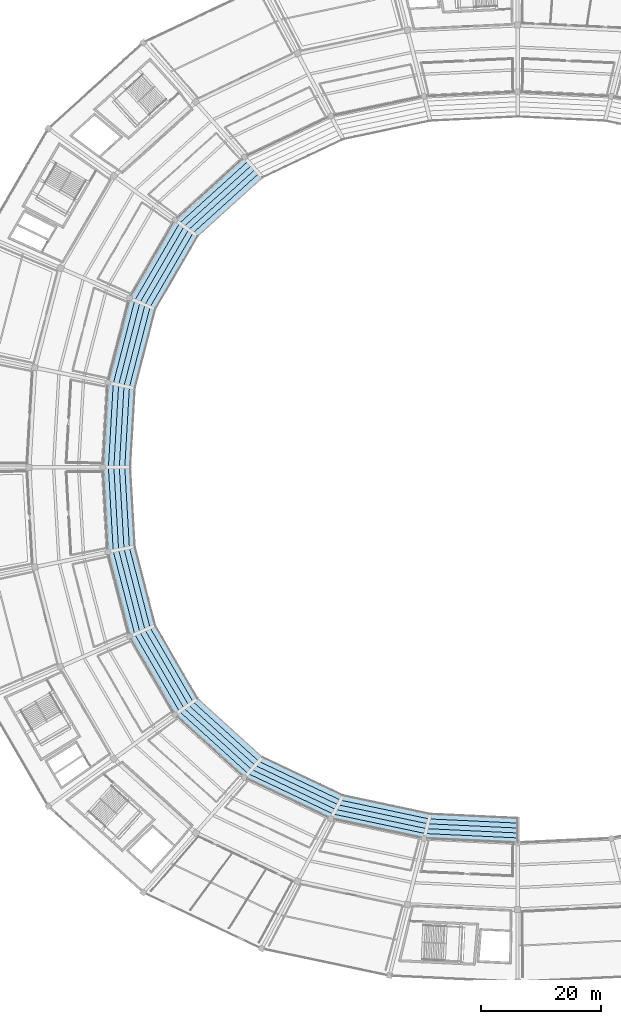
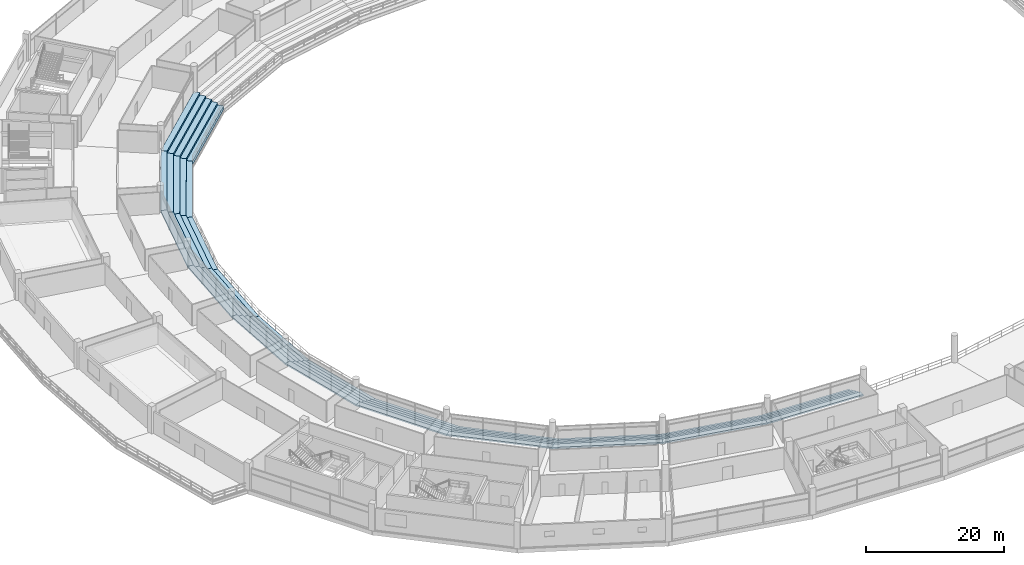
# One storey, part 139 of 171: 11 slabs.
"""IFC4 building model written with IfcOpenShell, lengths in metres."""

from ifc_helpers import new_model, si_unit, direction, frame, origin, place, context, subcontext, project, spatial, polygons, material, layer, layer_set, type_object, element, save


model = new_model("IFC4")

# Units and contexts
model_context = context("Model", 3, precision=1e-05, world=origin(), true_north=direction((0.0, 1.0)))
body_context = subcontext(model_context, "Body", "Model", "MODEL_VIEW")
ifc_project = project(units=[si_unit("LENGTHUNIT", "METRE"), si_unit("AREAUNIT", "SQUARE_METRE"), si_unit("VOLUMEUNIT", "CUBIC_METRE"), si_unit("PLANEANGLEUNIT", "RADIAN"), si_unit("MASSUNIT", "GRAM", prefix="KILO")], contexts=[model_context])

# Site, building, storey
site_placement = place(None, origin())
site = spatial("IfcSite", under=ifc_project, at=site_placement, CompositionType="ELEMENT")
building_placement = place(site_placement, origin())
building = spatial("IfcBuilding", under=site, at=building_placement, Name="Kazemori Nagisa Stadium", CompositionType="ELEMENT")
storey_placement = place(building_placement, frame((0.0, 0.0, 15.639892578125)))
storey = spatial("IfcBuildingStorey", under=building, at=storey_placement, Name="L03", CompositionType="ELEMENT", Elevation=15.639892578125)

# Slabs
ifc_material = material(Name="Concrete C36/45 (Fc36)", Category="concrete")
ifc_layer = layer(ifc_material, 2.159912109375, Name="Concrete C36/45 (Fc36)", Category="concrete")
ifc_layer_set = layer_set([ifc_layer], Name="Concrete C36/45 (Fc36)")
slab_type = type_object("IfcSlabType", Name="SeatingTier_ST-CLUB-05", PredefinedType="USERDEFINED", material=ifc_layer_set)
slab_1_placement = place(storey_placement, frame((0.0, 0.0, -15.639892578125)))
element("IfcSlab", 1, at=slab_1_placement, inside=storey, type_object=slab_type, Name="Stand club tier bay 11", ObjectType="SEATING TIER", PredefinedType="USERDEFINED", context=body_context, shape_type="Tessellation", body=[
    polygons([(69.466064453125, 140.647216796875, 13.480224609375), (69.466064453125, 140.647216796875, 14.1201171875), (68.712646484375, 141.191162109375, 14.1201171875), (68.712646484375, 141.191162109375, 14.5), (67.958984375, 141.7353515625, 14.5), (67.958984375, 141.7353515625, 14.8798828125), (67.20556640625, 142.279296875, 14.8798828125), (67.20556640625, 142.279296875, 15.259765625), (66.451904296875, 142.823486328125, 15.259765625), (66.451904296875, 142.823486328125, 15.6396484375), (65.698486328125, 143.367431640625, 15.6396484375), (65.698486328125, 143.367431640625, 15.379638671875), (66.451904296875, 142.823486328125, 14.999755859375), (67.20556640625, 142.279296875, 14.619873046875), (67.958984375, 141.7353515625, 14.239990234375), (68.712646484375, 141.191162109375, 13.860107421875), (80.30810546875, 150.462158203125, 13.480224609375), (80.30810546875, 150.462158203125, 14.1201171875), (79.707275390625, 151.144287109375, 14.1201171875), (79.707275390625, 151.144287109375, 14.5), (79.106201171875, 151.826416015625, 14.5), (79.106201171875, 151.826416015625, 14.8798828125), (78.50537109375, 152.5087890625, 14.8798828125), (78.50537109375, 152.5087890625, 15.259765625), (77.904296875, 153.19091796875, 15.259765625), (77.904296875, 153.19091796875, 15.6396484375), (77.303466796875, 153.873046875, 15.6396484375), (77.303466796875, 153.873046875, 15.379638671875), (77.904296875, 153.19091796875, 14.999755859375), (78.50537109375, 152.5087890625, 14.619873046875), (79.106201171875, 151.826416015625, 14.239990234375), (79.707275390625, 151.144287109375, 13.860107421875)], [[[1, 17, 18]], [[1, 18, 2]], [[2, 18, 19]], [[2, 19, 3]], [[3, 19, 20]], [[3, 20, 4]], [[4, 20, 21]], [[4, 21, 5]], [[5, 21, 22]], [[5, 22, 6]], [[6, 22, 23]], [[6, 23, 7]], [[7, 23, 24]], [[7, 24, 8]], [[8, 24, 25]], [[8, 25, 9]], [[9, 25, 26]], [[9, 26, 10]], [[10, 26, 27]], [[10, 27, 11]], [[11, 27, 28]], [[11, 28, 12]], [[12, 28, 13]], [[13, 28, 29]], [[13, 29, 14]], [[14, 29, 30]], [[14, 30, 15]], [[15, 30, 31]], [[15, 31, 16]], [[16, 31, 32]], [[16, 32, 1]], [[1, 32, 17]], [[1, 2, 3]], [[19, 18, 17]], [[1, 3, 16]], [[32, 19, 17]], [[16, 3, 15]], [[31, 19, 32]], [[15, 3, 5]], [[21, 19, 31]], [[3, 4, 5]], [[21, 20, 19]], [[15, 5, 14]], [[30, 21, 31]], [[14, 5, 7]], [[23, 21, 30]], [[5, 6, 7]], [[23, 22, 21]], [[14, 7, 13]], [[29, 23, 30]], [[13, 7, 9]], [[25, 23, 29]], [[7, 8, 9]], [[25, 24, 23]], [[13, 9, 12]], [[28, 25, 29]], [[12, 9, 11]], [[27, 25, 28]], [[9, 10, 11]], [[27, 26, 25]]], closed=True),
])
slab_2_placement = place(storey_placement, frame((0.0, 0.0, -15.639892578125)))
element("IfcSlab", 2, at=slab_2_placement, inside=storey, type_object=slab_type, Name="Stand club tier bay 12", ObjectType="SEATING TIER", PredefinedType="USERDEFINED", context=body_context, shape_type="Tessellation", body=[
    polygons([(62.38037109375, 128.42724609375, 13.480224609375), (62.38037109375, 128.42724609375, 14.1201171875), (61.527099609375, 128.79931640625, 14.1201171875), (61.527099609375, 128.79931640625, 14.5), (60.673828125, 129.171142578125, 14.5), (60.673828125, 129.171142578125, 14.8798828125), (59.820556640625, 129.543212890625, 14.8798828125), (59.820556640625, 129.543212890625, 15.259765625), (58.96728515625, 129.9150390625, 15.259765625), (58.96728515625, 129.9150390625, 15.6396484375), (58.114013671875, 130.287109375, 15.6396484375), (58.114013671875, 130.287109375, 15.379638671875), (58.96728515625, 129.9150390625, 14.999755859375), (59.820556640625, 129.543212890625, 14.619873046875), (60.673828125, 129.171142578125, 14.239990234375), (61.527099609375, 128.79931640625, 13.860107421875), (69.466064453125, 140.647216796875, 13.480224609375), (69.466064453125, 140.647216796875, 14.1201171875), (68.712646484375, 141.191162109375, 14.1201171875), (68.712646484375, 141.191162109375, 14.5), (67.958984375, 141.7353515625, 14.5), (67.958984375, 141.7353515625, 14.8798828125), (67.20556640625, 142.279296875, 14.8798828125), (67.20556640625, 142.279296875, 15.259765625), (66.451904296875, 142.823486328125, 15.259765625), (66.451904296875, 142.823486328125, 15.6396484375), (65.698486328125, 143.367431640625, 15.6396484375), (65.698486328125, 143.367431640625, 15.379638671875), (66.451904296875, 142.823486328125, 14.999755859375), (67.20556640625, 142.279296875, 14.619873046875), (67.958984375, 141.7353515625, 14.239990234375), (68.712646484375, 141.191162109375, 13.860107421875)], [[[1, 17, 18]], [[1, 18, 2]], [[2, 18, 19]], [[2, 19, 3]], [[3, 19, 20]], [[3, 20, 4]], [[4, 20, 21]], [[4, 21, 5]], [[5, 21, 22]], [[5, 22, 6]], [[6, 22, 23]], [[6, 23, 7]], [[7, 23, 24]], [[7, 24, 8]], [[8, 24, 25]], [[8, 25, 9]], [[9, 25, 26]], [[9, 26, 10]], [[10, 26, 27]], [[10, 27, 11]], [[11, 27, 28]], [[11, 28, 12]], [[12, 28, 13]], [[13, 28, 29]], [[13, 29, 14]], [[14, 29, 30]], [[14, 30, 15]], [[15, 30, 31]], [[15, 31, 16]], [[16, 31, 32]], [[16, 32, 1]], [[1, 32, 17]], [[1, 2, 3]], [[19, 18, 17]], [[1, 3, 16]], [[32, 19, 17]], [[16, 3, 15]], [[31, 19, 32]], [[15, 3, 5]], [[21, 19, 31]], [[3, 4, 5]], [[21, 20, 19]], [[15, 5, 14]], [[30, 21, 31]], [[14, 5, 7]], [[23, 21, 30]], [[5, 6, 7]], [[23, 22, 21]], [[14, 7, 13]], [[29, 23, 30]], [[13, 7, 9]], [[25, 23, 29]], [[7, 8, 9]], [[25, 24, 23]], [[13, 9, 12]], [[28, 25, 29]], [[12, 9, 11]], [[27, 25, 28]], [[9, 10, 11]], [[27, 26, 25]]], closed=True),
])
slab_3_placement = place(storey_placement, frame((0.0, 0.0, -15.639892578125)))
element("IfcSlab", 3, at=slab_3_placement, inside=storey, type_object=slab_type, Name="Stand club tier bay 13", ObjectType="SEATING TIER", PredefinedType="USERDEFINED", context=body_context, shape_type="Tessellation", body=[
    polygons([(58.973388671875, 115.229248046875, 13.480224609375), (58.973388671875, 115.229248046875, 14.1201171875), (58.072021484375, 115.41552734375, 14.1201171875), (58.072021484375, 115.41552734375, 14.5), (57.1708984375, 115.601806640625, 14.5), (57.1708984375, 115.601806640625, 14.8798828125), (56.26953125, 115.787841796875, 14.8798828125), (56.26953125, 115.787841796875, 15.259765625), (55.368408203125, 115.97412109375, 15.259765625), (55.368408203125, 115.97412109375, 15.6396484375), (54.467041015625, 116.160400390625, 15.6396484375), (54.467041015625, 116.160400390625, 15.379638671875), (55.368408203125, 115.97412109375, 14.999755859375), (56.26953125, 115.787841796875, 14.619873046875), (57.1708984375, 115.601806640625, 14.239990234375), (58.072021484375, 115.41552734375, 13.860107421875), (62.38037109375, 128.42724609375, 13.480224609375), (62.38037109375, 128.42724609375, 14.1201171875), (61.527099609375, 128.79931640625, 14.1201171875), (61.527099609375, 128.79931640625, 14.5), (60.673828125, 129.171142578125, 14.5), (60.673828125, 129.171142578125, 14.8798828125), (59.820556640625, 129.543212890625, 14.8798828125), (59.820556640625, 129.543212890625, 15.259765625), (58.96728515625, 129.9150390625, 15.259765625), (58.96728515625, 129.9150390625, 15.6396484375), (58.114013671875, 130.287109375, 15.6396484375), (58.114013671875, 130.287109375, 15.379638671875), (58.96728515625, 129.9150390625, 14.999755859375), (59.820556640625, 129.543212890625, 14.619873046875), (60.673828125, 129.171142578125, 14.239990234375), (61.527099609375, 128.79931640625, 13.860107421875)], [[[1, 17, 18]], [[1, 18, 2]], [[2, 18, 19]], [[2, 19, 3]], [[3, 19, 20]], [[3, 20, 4]], [[4, 20, 21]], [[4, 21, 5]], [[5, 21, 22]], [[5, 22, 6]], [[6, 22, 23]], [[6, 23, 7]], [[7, 23, 24]], [[7, 24, 8]], [[8, 24, 25]], [[8, 25, 9]], [[9, 25, 26]], [[9, 26, 10]], [[10, 26, 27]], [[10, 27, 11]], [[11, 27, 28]], [[11, 28, 12]], [[12, 28, 13]], [[13, 28, 29]], [[13, 29, 14]], [[14, 29, 30]], [[14, 30, 15]], [[15, 30, 31]], [[15, 31, 16]], [[16, 31, 32]], [[16, 32, 1]], [[1, 32, 17]], [[1, 2, 3]], [[19, 18, 17]], [[1, 3, 16]], [[32, 19, 17]], [[16, 3, 15]], [[31, 19, 32]], [[15, 3, 5]], [[21, 19, 31]], [[3, 4, 5]], [[21, 20, 19]], [[15, 5, 14]], [[30, 21, 31]], [[14, 5, 7]], [[23, 21, 30]], [[5, 6, 7]], [[23, 22, 21]], [[14, 7, 13]], [[29, 23, 30]], [[13, 7, 9]], [[25, 23, 29]], [[7, 8, 9]], [[25, 24, 23]], [[13, 9, 12]], [[28, 25, 29]], [[12, 9, 11]], [[27, 25, 28]], [[9, 10, 11]], [[27, 26, 25]]], closed=True),
])
slab_4_placement = place(storey_placement, frame((0.0, 0.0, -15.639892578125)))
element("IfcSlab", 4, at=slab_4_placement, inside=storey, type_object=slab_type, Name="Stand club tier bay 14", ObjectType="SEATING TIER", PredefinedType="USERDEFINED", context=body_context, shape_type="Tessellation", body=[
    polygons([(58.2099609375, 102.0, 13.480224609375), (58.2099609375, 102.0, 14.1201171875), (57.2978515625, 102.0, 14.1201171875), (57.2978515625, 102.0, 14.5), (56.385986328125, 102.0, 14.5), (56.385986328125, 102.0, 14.8798828125), (55.473876953125, 102.0, 14.8798828125), (55.473876953125, 102.0, 15.259765625), (54.56201171875, 102.0, 15.259765625), (54.56201171875, 102.0, 15.6396484375), (53.64990234375, 102.0, 15.6396484375), (53.64990234375, 102.0, 15.379638671875), (54.56201171875, 102.0, 14.999755859375), (55.473876953125, 102.0, 14.619873046875), (56.385986328125, 102.0, 14.239990234375), (57.2978515625, 102.0, 13.860107421875), (58.973388671875, 115.229248046875, 13.480224609375), (58.973388671875, 115.229248046875, 14.1201171875), (58.072021484375, 115.41552734375, 14.1201171875), (58.072021484375, 115.41552734375, 14.5), (57.1708984375, 115.601806640625, 14.5), (57.1708984375, 115.601806640625, 14.8798828125), (56.26953125, 115.787841796875, 14.8798828125), (56.26953125, 115.787841796875, 15.259765625), (55.368408203125, 115.97412109375, 15.259765625), (55.368408203125, 115.97412109375, 15.6396484375), (54.467041015625, 116.160400390625, 15.6396484375), (54.467041015625, 116.160400390625, 15.379638671875), (55.368408203125, 115.97412109375, 14.999755859375), (56.26953125, 115.787841796875, 14.619873046875), (57.1708984375, 115.601806640625, 14.239990234375), (58.072021484375, 115.41552734375, 13.860107421875)], [[[1, 17, 18]], [[1, 18, 2]], [[2, 18, 19]], [[2, 19, 3]], [[3, 19, 20]], [[3, 20, 4]], [[4, 20, 21]], [[4, 21, 5]], [[5, 21, 22]], [[5, 22, 6]], [[6, 22, 23]], [[6, 23, 7]], [[7, 23, 24]], [[7, 24, 8]], [[8, 24, 25]], [[8, 25, 9]], [[9, 25, 26]], [[9, 26, 10]], [[10, 26, 27]], [[10, 27, 11]], [[11, 27, 28]], [[11, 28, 12]], [[12, 28, 13]], [[13, 28, 29]], [[13, 29, 14]], [[14, 29, 30]], [[14, 30, 15]], [[15, 30, 31]], [[15, 31, 16]], [[16, 31, 32]], [[16, 32, 1]], [[1, 32, 17]], [[1, 2, 3]], [[19, 18, 17]], [[1, 3, 16]], [[32, 19, 17]], [[16, 3, 15]], [[31, 19, 32]], [[15, 3, 5]], [[21, 19, 31]], [[3, 4, 5]], [[21, 20, 19]], [[15, 5, 14]], [[30, 21, 31]], [[14, 5, 7]], [[23, 21, 30]], [[5, 6, 7]], [[23, 22, 21]], [[14, 7, 13]], [[29, 23, 30]], [[13, 7, 9]], [[25, 23, 29]], [[7, 8, 9]], [[25, 24, 23]], [[13, 9, 12]], [[28, 25, 29]], [[12, 9, 11]], [[27, 25, 28]], [[9, 10, 11]], [[27, 26, 25]]], closed=True),
])
slab_5_placement = place(storey_placement, frame((0.0, 0.0, -15.639892578125)))
element("IfcSlab", 5, at=slab_5_placement, inside=storey, type_object=slab_type, Name="Stand club tier bay 15", ObjectType="SEATING TIER", PredefinedType="USERDEFINED", context=body_context, shape_type="Tessellation", body=[
    polygons([(58.973388671875, 88.770751953125, 13.480224609375), (58.973388671875, 88.770751953125, 14.1201171875), (58.072021484375, 88.58447265625, 14.1201171875), (58.072021484375, 88.58447265625, 14.5), (57.1708984375, 88.398193359375, 14.5), (57.1708984375, 88.398193359375, 14.8798828125), (56.26953125, 88.212158203125, 14.8798828125), (56.26953125, 88.212158203125, 15.259765625), (55.368408203125, 88.02587890625, 15.259765625), (55.368408203125, 88.02587890625, 15.6396484375), (54.467041015625, 87.839599609375, 15.6396484375), (54.467041015625, 87.839599609375, 15.379638671875), (55.368408203125, 88.02587890625, 14.999755859375), (56.26953125, 88.212158203125, 14.619873046875), (57.1708984375, 88.398193359375, 14.239990234375), (58.072021484375, 88.58447265625, 13.860107421875), (58.2099609375, 102.0, 13.480224609375), (58.2099609375, 102.0, 14.1201171875), (57.2978515625, 102.0, 14.1201171875), (57.2978515625, 102.0, 14.5), (56.385986328125, 102.0, 14.5), (56.385986328125, 102.0, 14.8798828125), (55.473876953125, 102.0, 14.8798828125), (55.473876953125, 102.0, 15.259765625), (54.56201171875, 102.0, 15.259765625), (54.56201171875, 102.0, 15.6396484375), (53.64990234375, 102.0, 15.6396484375), (53.64990234375, 102.0, 15.379638671875), (54.56201171875, 102.0, 14.999755859375), (55.473876953125, 102.0, 14.619873046875), (56.385986328125, 102.0, 14.239990234375), (57.2978515625, 102.0, 13.860107421875)], [[[1, 17, 18]], [[1, 18, 2]], [[2, 18, 19]], [[2, 19, 3]], [[3, 19, 20]], [[3, 20, 4]], [[4, 20, 21]], [[4, 21, 5]], [[5, 21, 22]], [[5, 22, 6]], [[6, 22, 23]], [[6, 23, 7]], [[7, 23, 24]], [[7, 24, 8]], [[8, 24, 25]], [[8, 25, 9]], [[9, 25, 26]], [[9, 26, 10]], [[10, 26, 27]], [[10, 27, 11]], [[11, 27, 28]], [[11, 28, 12]], [[12, 28, 13]], [[13, 28, 29]], [[13, 29, 14]], [[14, 29, 30]], [[14, 30, 15]], [[15, 30, 31]], [[15, 31, 16]], [[16, 31, 32]], [[16, 32, 1]], [[1, 32, 17]], [[1, 2, 3]], [[19, 18, 17]], [[1, 3, 16]], [[32, 19, 17]], [[16, 3, 15]], [[31, 19, 32]], [[15, 3, 5]], [[21, 19, 31]], [[3, 4, 5]], [[21, 20, 19]], [[15, 5, 14]], [[30, 21, 31]], [[14, 5, 7]], [[23, 21, 30]], [[5, 6, 7]], [[23, 22, 21]], [[14, 7, 13]], [[29, 23, 30]], [[13, 7, 9]], [[25, 23, 29]], [[7, 8, 9]], [[25, 24, 23]], [[13, 9, 12]], [[28, 25, 29]], [[12, 9, 11]], [[27, 25, 28]], [[9, 10, 11]], [[27, 26, 25]]], closed=True),
])
slab_6_placement = place(storey_placement, frame((0.0, 0.0, -15.639892578125)))
element("IfcSlab", 6, at=slab_6_placement, inside=storey, type_object=slab_type, Name="Stand club tier bay 16", ObjectType="SEATING TIER", PredefinedType="USERDEFINED", context=body_context, shape_type="Tessellation", body=[
    polygons([(62.38037109375, 75.57275390625, 13.480224609375), (62.38037109375, 75.57275390625, 14.1201171875), (61.527099609375, 75.20068359375, 14.1201171875), (61.527099609375, 75.20068359375, 14.5), (60.673828125, 74.828857421875, 14.5), (60.673828125, 74.828857421875, 14.8798828125), (59.820556640625, 74.456787109375, 14.8798828125), (59.820556640625, 74.456787109375, 15.259765625), (58.96728515625, 74.0849609375, 15.259765625), (58.96728515625, 74.0849609375, 15.6396484375), (58.114013671875, 73.712890625, 15.6396484375), (58.114013671875, 73.712890625, 15.379638671875), (58.96728515625, 74.0849609375, 14.999755859375), (59.820556640625, 74.456787109375, 14.619873046875), (60.673828125, 74.828857421875, 14.239990234375), (61.527099609375, 75.20068359375, 13.860107421875), (58.973388671875, 88.770751953125, 13.480224609375), (58.973388671875, 88.770751953125, 14.1201171875), (58.072021484375, 88.58447265625, 14.1201171875), (58.072021484375, 88.58447265625, 14.5), (57.1708984375, 88.398193359375, 14.5), (57.1708984375, 88.398193359375, 14.8798828125), (56.26953125, 88.212158203125, 14.8798828125), (56.26953125, 88.212158203125, 15.259765625), (55.368408203125, 88.02587890625, 15.259765625), (55.368408203125, 88.02587890625, 15.6396484375), (54.467041015625, 87.839599609375, 15.6396484375), (54.467041015625, 87.839599609375, 15.379638671875), (55.368408203125, 88.02587890625, 14.999755859375), (56.26953125, 88.212158203125, 14.619873046875), (57.1708984375, 88.398193359375, 14.239990234375), (58.072021484375, 88.58447265625, 13.860107421875)], [[[1, 17, 18]], [[1, 18, 2]], [[2, 18, 19]], [[2, 19, 3]], [[3, 19, 20]], [[3, 20, 4]], [[4, 20, 21]], [[4, 21, 5]], [[5, 21, 22]], [[5, 22, 6]], [[6, 22, 23]], [[6, 23, 7]], [[7, 23, 24]], [[7, 24, 8]], [[8, 24, 25]], [[8, 25, 9]], [[9, 25, 26]], [[9, 26, 10]], [[10, 26, 27]], [[10, 27, 11]], [[11, 27, 28]], [[11, 28, 12]], [[12, 28, 13]], [[13, 28, 29]], [[13, 29, 14]], [[14, 29, 30]], [[14, 30, 15]], [[15, 30, 31]], [[15, 31, 16]], [[16, 31, 32]], [[16, 32, 1]], [[1, 32, 17]], [[1, 2, 3]], [[19, 18, 17]], [[1, 3, 16]], [[32, 19, 17]], [[16, 3, 15]], [[31, 19, 32]], [[15, 3, 5]], [[21, 19, 31]], [[3, 4, 5]], [[21, 20, 19]], [[15, 5, 14]], [[30, 21, 31]], [[14, 5, 7]], [[23, 21, 30]], [[5, 6, 7]], [[23, 22, 21]], [[14, 7, 13]], [[29, 23, 30]], [[13, 7, 9]], [[25, 23, 29]], [[7, 8, 9]], [[25, 24, 23]], [[13, 9, 12]], [[28, 25, 29]], [[12, 9, 11]], [[27, 25, 28]], [[9, 10, 11]], [[27, 26, 25]]], closed=True),
])
slab_7_placement = place(storey_placement, frame((0.0, 0.0, -15.639892578125)))
element("IfcSlab", 7, at=slab_7_placement, inside=storey, type_object=slab_type, Name="Stand club tier bay 17", ObjectType="SEATING TIER", PredefinedType="USERDEFINED", context=body_context, shape_type="Tessellation", body=[
    polygons([(69.466064453125, 63.352783203125, 13.480224609375), (69.466064453125, 63.352783203125, 14.1201171875), (68.712646484375, 62.808837890625, 14.1201171875), (68.712646484375, 62.808837890625, 14.5), (67.958984375, 62.2646484375, 14.5), (67.958984375, 62.2646484375, 14.8798828125), (67.20556640625, 61.720703125, 14.8798828125), (67.20556640625, 61.720703125, 15.259765625), (66.451904296875, 61.176513671875, 15.259765625), (66.451904296875, 61.176513671875, 15.6396484375), (65.698486328125, 60.632568359375, 15.6396484375), (65.698486328125, 60.632568359375, 15.379638671875), (66.451904296875, 61.176513671875, 14.999755859375), (67.20556640625, 61.720703125, 14.619873046875), (67.958984375, 62.2646484375, 14.239990234375), (68.712646484375, 62.808837890625, 13.860107421875), (62.38037109375, 75.57275390625, 13.480224609375), (62.38037109375, 75.57275390625, 14.1201171875), (61.527099609375, 75.20068359375, 14.1201171875), (61.527099609375, 75.20068359375, 14.5), (60.673828125, 74.828857421875, 14.5), (60.673828125, 74.828857421875, 14.8798828125), (59.820556640625, 74.456787109375, 14.8798828125), (59.820556640625, 74.456787109375, 15.259765625), (58.96728515625, 74.0849609375, 15.259765625), (58.96728515625, 74.0849609375, 15.6396484375), (58.114013671875, 73.712890625, 15.6396484375), (58.114013671875, 73.712890625, 15.379638671875), (58.96728515625, 74.0849609375, 14.999755859375), (59.820556640625, 74.456787109375, 14.619873046875), (60.673828125, 74.828857421875, 14.239990234375), (61.527099609375, 75.20068359375, 13.860107421875)], [[[1, 17, 18]], [[1, 18, 2]], [[2, 18, 19]], [[2, 19, 3]], [[3, 19, 20]], [[3, 20, 4]], [[4, 20, 21]], [[4, 21, 5]], [[5, 21, 22]], [[5, 22, 6]], [[6, 22, 23]], [[6, 23, 7]], [[7, 23, 24]], [[7, 24, 8]], [[8, 24, 25]], [[8, 25, 9]], [[9, 25, 26]], [[9, 26, 10]], [[10, 26, 27]], [[10, 27, 11]], [[11, 27, 28]], [[11, 28, 12]], [[12, 28, 13]], [[13, 28, 29]], [[13, 29, 14]], [[14, 29, 30]], [[14, 30, 15]], [[15, 30, 31]], [[15, 31, 16]], [[16, 31, 32]], [[16, 32, 1]], [[1, 32, 17]], [[1, 2, 3]], [[19, 18, 17]], [[1, 3, 16]], [[32, 19, 17]], [[16, 3, 15]], [[31, 19, 32]], [[15, 3, 5]], [[21, 19, 31]], [[3, 4, 5]], [[21, 20, 19]], [[15, 5, 14]], [[30, 21, 31]], [[14, 5, 7]], [[23, 21, 30]], [[5, 6, 7]], [[23, 22, 21]], [[14, 7, 13]], [[29, 23, 30]], [[13, 7, 9]], [[25, 23, 29]], [[7, 8, 9]], [[25, 24, 23]], [[13, 9, 12]], [[28, 25, 29]], [[12, 9, 11]], [[27, 25, 28]], [[9, 10, 11]], [[27, 26, 25]]], closed=True),
])
slab_8_placement = place(storey_placement, frame((0.0, 0.0, -15.639892578125)))
element("IfcSlab", 8, at=slab_8_placement, inside=storey, type_object=slab_type, Name="Stand club tier bay 18", ObjectType="SEATING TIER", PredefinedType="USERDEFINED", context=body_context, shape_type="Tessellation", body=[
    polygons([(80.30810546875, 53.537841796875, 13.480224609375), (80.30810546875, 53.537841796875, 14.1201171875), (79.707275390625, 52.855712890625, 14.1201171875), (79.707275390625, 52.855712890625, 14.5), (79.106201171875, 52.173583984375, 14.5), (79.106201171875, 52.173583984375, 14.8798828125), (78.50537109375, 51.4912109375, 14.8798828125), (78.50537109375, 51.4912109375, 15.259765625), (77.904296875, 50.80908203125, 15.259765625), (77.904296875, 50.80908203125, 15.6396484375), (77.303466796875, 50.126953125, 15.6396484375), (77.303466796875, 50.126953125, 15.379638671875), (77.904296875, 50.80908203125, 14.999755859375), (78.50537109375, 51.4912109375, 14.619873046875), (79.106201171875, 52.173583984375, 14.239990234375), (79.707275390625, 52.855712890625, 13.860107421875), (69.466064453125, 63.352783203125, 13.480224609375), (69.466064453125, 63.352783203125, 14.1201171875), (68.712646484375, 62.808837890625, 14.1201171875), (68.712646484375, 62.808837890625, 14.5), (67.958984375, 62.2646484375, 14.5), (67.958984375, 62.2646484375, 14.8798828125), (67.20556640625, 61.720703125, 14.8798828125), (67.20556640625, 61.720703125, 15.259765625), (66.451904296875, 61.176513671875, 15.259765625), (66.451904296875, 61.176513671875, 15.6396484375), (65.698486328125, 60.632568359375, 15.6396484375), (65.698486328125, 60.632568359375, 15.379638671875), (66.451904296875, 61.176513671875, 14.999755859375), (67.20556640625, 61.720703125, 14.619873046875), (67.958984375, 62.2646484375, 14.239990234375), (68.712646484375, 62.808837890625, 13.860107421875)], [[[1, 17, 18]], [[1, 18, 2]], [[2, 18, 19]], [[2, 19, 3]], [[3, 19, 20]], [[3, 20, 4]], [[4, 20, 21]], [[4, 21, 5]], [[5, 21, 22]], [[5, 22, 6]], [[6, 22, 23]], [[6, 23, 7]], [[7, 23, 24]], [[7, 24, 8]], [[8, 24, 25]], [[8, 25, 9]], [[9, 25, 26]], [[9, 26, 10]], [[10, 26, 27]], [[10, 27, 11]], [[11, 27, 28]], [[11, 28, 12]], [[12, 28, 13]], [[13, 28, 29]], [[13, 29, 14]], [[14, 29, 30]], [[14, 30, 15]], [[15, 30, 31]], [[15, 31, 16]], [[16, 31, 32]], [[16, 32, 1]], [[1, 32, 17]], [[1, 2, 3]], [[19, 18, 17]], [[1, 3, 16]], [[32, 19, 17]], [[16, 3, 15]], [[31, 19, 32]], [[15, 3, 5]], [[21, 19, 31]], [[3, 4, 5]], [[21, 20, 19]], [[15, 5, 14]], [[30, 21, 31]], [[14, 5, 7]], [[23, 21, 30]], [[5, 6, 7]], [[23, 22, 21]], [[14, 7, 13]], [[29, 23, 30]], [[13, 7, 9]], [[25, 23, 29]], [[7, 8, 9]], [[25, 24, 23]], [[13, 9, 12]], [[28, 25, 29]], [[12, 9, 11]], [[27, 25, 28]], [[9, 10, 11]], [[27, 26, 25]]], closed=True),
])
slab_9_placement = place(storey_placement, frame((0.0, 0.0, -15.639892578125)))
element("IfcSlab", 9, at=slab_9_placement, inside=storey, type_object=slab_type, Name="Stand club tier bay 19", ObjectType="SEATING TIER", PredefinedType="USERDEFINED", context=body_context, shape_type="Tessellation", body=[
    polygons([(93.80712890625, 47.123291015625, 13.480224609375), (93.80712890625, 47.123291015625, 14.1201171875), (93.396240234375, 46.350830078125, 14.1201171875), (93.396240234375, 46.350830078125, 14.5), (92.9853515625, 45.578369140625, 14.5), (92.9853515625, 45.578369140625, 14.8798828125), (92.57421875, 44.805908203125, 14.8798828125), (92.57421875, 44.805908203125, 15.259765625), (92.163330078125, 44.033447265625, 15.259765625), (92.163330078125, 44.033447265625, 15.6396484375), (91.75244140625, 43.260986328125, 15.6396484375), (91.75244140625, 43.260986328125, 15.379638671875), (92.163330078125, 44.033447265625, 14.999755859375), (92.57421875, 44.805908203125, 14.619873046875), (92.9853515625, 45.578369140625, 14.239990234375), (93.396240234375, 46.350830078125, 13.860107421875), (80.30810546875, 53.537841796875, 13.480224609375), (80.30810546875, 53.537841796875, 14.1201171875), (79.707275390625, 52.855712890625, 14.1201171875), (79.707275390625, 52.855712890625, 14.5), (79.106201171875, 52.173583984375, 14.5), (79.106201171875, 52.173583984375, 14.8798828125), (78.50537109375, 51.4912109375, 14.8798828125), (78.50537109375, 51.4912109375, 15.259765625), (77.904296875, 50.80908203125, 15.259765625), (77.904296875, 50.80908203125, 15.6396484375), (77.303466796875, 50.126953125, 15.6396484375), (77.303466796875, 50.126953125, 15.379638671875), (77.904296875, 50.80908203125, 14.999755859375), (78.50537109375, 51.4912109375, 14.619873046875), (79.106201171875, 52.173583984375, 14.239990234375), (79.707275390625, 52.855712890625, 13.860107421875)], [[[1, 17, 18]], [[1, 18, 2]], [[2, 18, 19]], [[2, 19, 3]], [[3, 19, 20]], [[3, 20, 4]], [[4, 20, 21]], [[4, 21, 5]], [[5, 21, 22]], [[5, 22, 6]], [[6, 22, 23]], [[6, 23, 7]], [[7, 23, 24]], [[7, 24, 8]], [[8, 24, 25]], [[8, 25, 9]], [[9, 25, 26]], [[9, 26, 10]], [[10, 26, 27]], [[10, 27, 11]], [[11, 27, 28]], [[11, 28, 12]], [[12, 28, 13]], [[13, 28, 29]], [[13, 29, 14]], [[14, 29, 30]], [[14, 30, 15]], [[15, 30, 31]], [[15, 31, 16]], [[16, 31, 32]], [[16, 32, 1]], [[1, 32, 17]], [[1, 2, 3]], [[19, 18, 17]], [[1, 3, 16]], [[32, 19, 17]], [[16, 3, 15]], [[31, 19, 32]], [[15, 3, 5]], [[21, 19, 31]], [[3, 4, 5]], [[21, 20, 19]], [[15, 5, 14]], [[30, 21, 31]], [[14, 5, 7]], [[23, 21, 30]], [[5, 6, 7]], [[23, 22, 21]], [[14, 7, 13]], [[29, 23, 30]], [[13, 7, 9]], [[25, 23, 29]], [[7, 8, 9]], [[25, 24, 23]], [[13, 9, 12]], [[28, 25, 29]], [[12, 9, 11]], [[27, 25, 28]], [[9, 10, 11]], [[27, 26, 25]]], closed=True),
])
slab_10_placement = place(storey_placement, frame((0.0, 0.0, -15.639892578125)))
element("IfcSlab", 10, at=slab_10_placement, inside=storey, type_object=slab_type, Name="Stand club tier bay 20", ObjectType="SEATING TIER", PredefinedType="USERDEFINED", context=body_context, shape_type="Tessellation", body=[
    polygons([(108.38623046875, 44.0390625, 13.480224609375), (108.38623046875, 44.0390625, 14.1201171875), (108.1806640625, 43.22314453125, 14.1201171875), (108.1806640625, 43.22314453125, 14.5), (107.974853515625, 42.4072265625, 14.5), (107.974853515625, 42.4072265625, 14.8798828125), (107.769287109375, 41.591552734375, 14.8798828125), (107.769287109375, 41.591552734375, 15.259765625), (107.5634765625, 40.775634765625, 15.259765625), (107.5634765625, 40.775634765625, 15.6396484375), (107.35791015625, 39.959716796875, 15.6396484375), (107.35791015625, 39.959716796875, 15.379638671875), (107.5634765625, 40.775634765625, 14.999755859375), (107.769287109375, 41.591552734375, 14.619873046875), (107.974853515625, 42.4072265625, 14.239990234375), (108.1806640625, 43.22314453125, 13.860107421875), (93.80712890625, 47.123291015625, 13.480224609375), (93.80712890625, 47.123291015625, 14.1201171875), (93.396240234375, 46.350830078125, 14.1201171875), (93.396240234375, 46.350830078125, 14.5), (92.9853515625, 45.578369140625, 14.5), (92.9853515625, 45.578369140625, 14.8798828125), (92.57421875, 44.805908203125, 14.8798828125), (92.57421875, 44.805908203125, 15.259765625), (92.163330078125, 44.033447265625, 15.259765625), (92.163330078125, 44.033447265625, 15.6396484375), (91.75244140625, 43.260986328125, 15.6396484375), (91.75244140625, 43.260986328125, 15.379638671875), (92.163330078125, 44.033447265625, 14.999755859375), (92.57421875, 44.805908203125, 14.619873046875), (92.9853515625, 45.578369140625, 14.239990234375), (93.396240234375, 46.350830078125, 13.860107421875)], [[[1, 17, 18]], [[1, 18, 2]], [[2, 18, 19]], [[2, 19, 3]], [[3, 19, 20]], [[3, 20, 4]], [[4, 20, 21]], [[4, 21, 5]], [[5, 21, 22]], [[5, 22, 6]], [[6, 22, 23]], [[6, 23, 7]], [[7, 23, 24]], [[7, 24, 8]], [[8, 24, 25]], [[8, 25, 9]], [[9, 25, 26]], [[9, 26, 10]], [[10, 26, 27]], [[10, 27, 11]], [[11, 27, 28]], [[11, 28, 12]], [[12, 28, 13]], [[13, 28, 29]], [[13, 29, 14]], [[14, 29, 30]], [[14, 30, 15]], [[15, 30, 31]], [[15, 31, 16]], [[16, 31, 32]], [[16, 32, 1]], [[1, 32, 17]], [[1, 2, 3]], [[19, 18, 17]], [[1, 3, 16]], [[32, 19, 17]], [[16, 3, 15]], [[31, 19, 32]], [[15, 3, 5]], [[21, 19, 31]], [[3, 4, 5]], [[21, 20, 19]], [[15, 5, 14]], [[30, 21, 31]], [[14, 5, 7]], [[23, 21, 30]], [[5, 6, 7]], [[23, 22, 21]], [[14, 7, 13]], [[29, 23, 30]], [[13, 7, 9]], [[25, 23, 29]], [[7, 8, 9]], [[25, 24, 23]], [[13, 9, 12]], [[28, 25, 29]], [[12, 9, 11]], [[27, 25, 28]], [[9, 10, 11]], [[27, 26, 25]]], closed=True),
])
slab_11_placement = place(storey_placement, frame((0.0, 0.0, -15.639892578125)))
element("IfcSlab", 11, at=slab_11_placement, inside=storey, type_object=slab_type, Name="Stand club tier bay 21", ObjectType="SEATING TIER", PredefinedType="USERDEFINED", context=body_context, shape_type="Tessellation", body=[
    polygons([(123.0, 43.347900390625, 13.480224609375), (123.0, 43.347900390625, 14.1201171875), (123.0, 42.522216796875, 14.1201171875), (123.0, 42.522216796875, 14.5), (123.0, 41.69677734375, 14.5), (123.0, 41.69677734375, 14.8798828125), (123.0, 40.87109375, 14.8798828125), (123.0, 40.87109375, 15.259765625), (123.0, 40.045654296875, 15.259765625), (123.0, 40.045654296875, 15.6396484375), (123.0, 39.219970703125, 15.6396484375), (123.0, 39.219970703125, 15.379638671875), (123.0, 40.045654296875, 14.999755859375), (123.0, 40.87109375, 14.619873046875), (123.0, 41.69677734375, 14.239990234375), (123.0, 42.522216796875, 13.860107421875), (108.38623046875, 44.0390625, 13.480224609375), (108.38623046875, 44.0390625, 14.1201171875), (108.1806640625, 43.22314453125, 14.1201171875), (108.1806640625, 43.22314453125, 14.5), (107.974853515625, 42.4072265625, 14.5), (107.974853515625, 42.4072265625, 14.8798828125), (107.769287109375, 41.591552734375, 14.8798828125), (107.769287109375, 41.591552734375, 15.259765625), (107.5634765625, 40.775634765625, 15.259765625), (107.5634765625, 40.775634765625, 15.6396484375), (107.35791015625, 39.959716796875, 15.6396484375), (107.35791015625, 39.959716796875, 15.379638671875), (107.5634765625, 40.775634765625, 14.999755859375), (107.769287109375, 41.591552734375, 14.619873046875), (107.974853515625, 42.4072265625, 14.239990234375), (108.1806640625, 43.22314453125, 13.860107421875)], [[[1, 17, 18]], [[1, 18, 2]], [[2, 18, 19]], [[2, 19, 3]], [[3, 19, 20]], [[3, 20, 4]], [[4, 20, 21]], [[4, 21, 5]], [[5, 21, 22]], [[5, 22, 6]], [[6, 22, 23]], [[6, 23, 7]], [[7, 23, 24]], [[7, 24, 8]], [[8, 24, 25]], [[8, 25, 9]], [[9, 25, 26]], [[9, 26, 10]], [[10, 26, 27]], [[10, 27, 11]], [[11, 27, 28]], [[11, 28, 12]], [[12, 28, 13]], [[13, 28, 29]], [[13, 29, 14]], [[14, 29, 30]], [[14, 30, 15]], [[15, 30, 31]], [[15, 31, 16]], [[16, 31, 32]], [[16, 32, 1]], [[1, 32, 17]], [[1, 2, 3]], [[19, 18, 17]], [[1, 3, 16]], [[32, 19, 17]], [[16, 3, 15]], [[31, 19, 32]], [[15, 3, 5]], [[21, 19, 31]], [[3, 4, 5]], [[21, 20, 19]], [[15, 5, 14]], [[30, 21, 31]], [[14, 5, 7]], [[23, 21, 30]], [[5, 6, 7]], [[23, 22, 21]], [[14, 7, 13]], [[29, 23, 30]], [[13, 7, 9]], [[25, 23, 29]], [[7, 8, 9]], [[25, 24, 23]], [[13, 9, 12]], [[28, 25, 29]], [[12, 9, 11]], [[27, 25, 28]], [[9, 10, 11]], [[27, 26, 25]]], closed=True),
])

save(model, "model.ifc")
